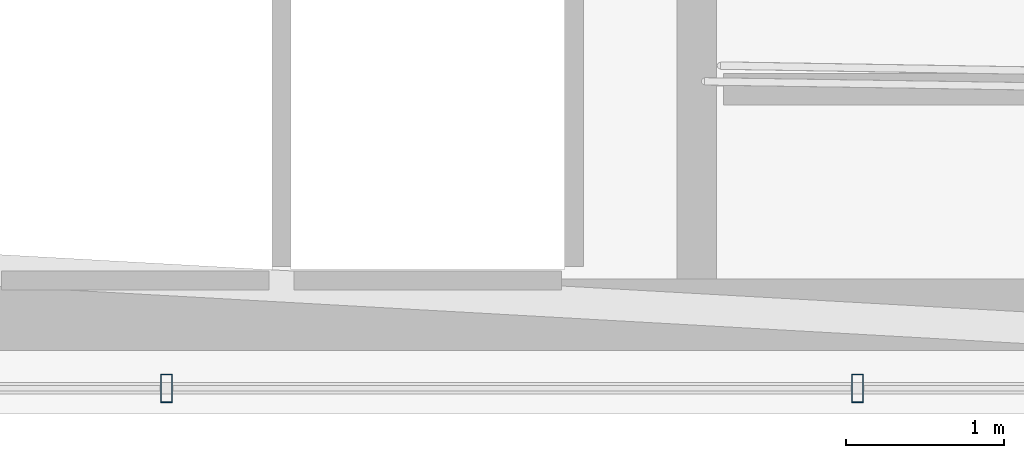
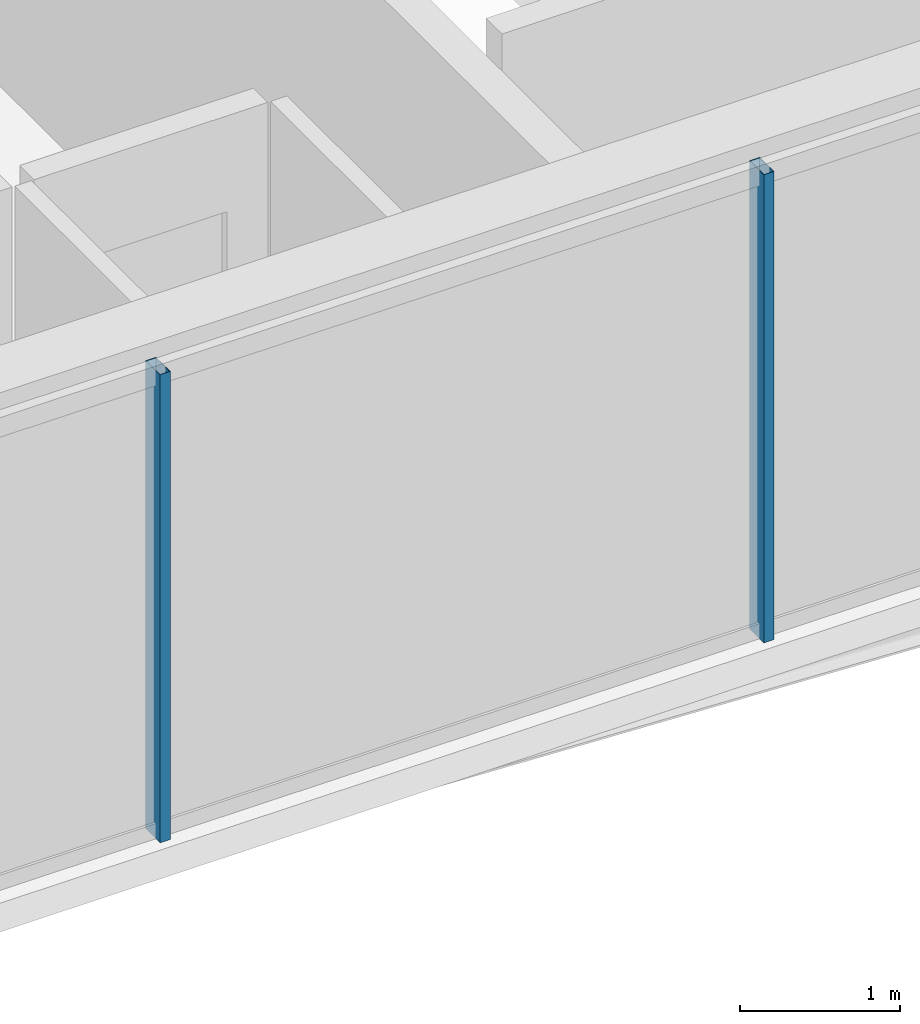
# One storey, part 6 of 33: 2 members, 1 element without a shape of its own.
"""IFC4 building model written with IfcOpenShell, lengths in metres."""

from ifc_helpers import new_model, si_unit, direction, frame, origin, origin_2d, place, context, subcontext, project, spatial, hollow_rectangle, extrude, material, layer, layer_set, material_profile, profile_set, type_object, element, aggregate, save


model = new_model("IFC4")

# Units and contexts
model_context = context("Model", 3, precision=1e-05, world=origin(), true_north=direction((0.0, 1.0)))
body_context = subcontext(model_context, "Body", "Model", "MODEL_VIEW")
ifc_project = project(units=[si_unit("LENGTHUNIT", "METRE"), si_unit("AREAUNIT", "SQUARE_METRE"), si_unit("VOLUMEUNIT", "CUBIC_METRE"), si_unit("PLANEANGLEUNIT", "RADIAN"), si_unit("MASSUNIT", "GRAM", prefix="KILO")], contexts=[model_context])

# Site, building, storey
site_placement = place(None, origin())
site = spatial("IfcSite", under=ifc_project, at=site_placement, CompositionType="ELEMENT")
building_placement = place(site_placement, origin())
building = spatial("IfcBuilding", under=site, at=building_placement, Name="Ndaravel Arena Tower", CompositionType="ELEMENT")
storey_placement = place(building_placement, frame((0.0, 0.0, 36.0)))
storey = spatial("IfcBuildingStorey", under=building, at=storey_placement, Name="L06", CompositionType="ELEMENT", Elevation=36.0)

# Curtain wall, members
ifc_material_1 = material(Name="Aluminium", Category="aluminium")
ifc_layer = layer(ifc_material_1, 0.179931640625)
ifc_layer_set = layer_set([ifc_layer], Name="Aluminium")
curtain_wall_type = type_object("IfcCurtainWallType", Name="CW-SYS-03", PredefinedType="NOTDEFINED", material=ifc_layer_set)
curtain_wall_placement = place(storey_placement, origin())
curtain_wall = element("IfcCurtainWall", 1, at=curtain_wall_placement, inside=storey, type_object=curtain_wall_type, Name="L06 Faceted Crystal Curtain Wall CW-L06-E01", PredefinedType="NOTDEFINED")
ifc_material_2 = material(Name="Aluminium", Category="aluminium")
ifc_material_profile = material_profile(ifc_material_2, hollow_rectangle(XDim=0.074951171875, YDim=0.179931640625, WallThickness=0.00390625, at=origin_2d()), Name="CW MULLION 75x180x4")
ifc_profile_set = profile_set([ifc_material_profile], Name="Aluminium")
member_type = type_object("IfcMemberType", Name="MEM-CW-MUL180", PredefinedType="MULLION", material=ifc_profile_set)
member_1_placement = place(storey_placement, frame((35.447998046875, 5.159912109375, 0.0), z_axis=(0.0, 0.0, 1.0), x_axis=(1.0, 0.0, 0.0)))
member_1 = element("IfcMember", 2, at=member_1_placement, type_object=member_type, Name="CW-L06-E01 Mullion 02", PredefinedType="MULLION", context=body_context, shape_type="SweptSolid", body=[
    extrude(hollow_rectangle(XDim=0.074951171875, YDim=0.179931640625, WallThickness=0.00390625, at=origin_2d()), origin(), (0.0, 0.0, 1.0), 3.580078125),
])
member_2_placement = place(storey_placement, frame((39.81591796875, 5.159912109375, 0.0), z_axis=(0.0, 0.0, 1.0), x_axis=(1.0, 0.0, 0.0)))
member_2 = element("IfcMember", 3, at=member_2_placement, type_object=member_type, Name="CW-L06-E01 Mullion 03", PredefinedType="MULLION", context=body_context, shape_type="SweptSolid", body=[
    extrude(hollow_rectangle(XDim=0.074951171875, YDim=0.179931640625, WallThickness=0.00390625, at=origin_2d()), origin(), (0.0, 0.0, 1.0), 3.580078125),
])
aggregate(curtain_wall, [member_1, member_2])

save(model, "model.ifc")
